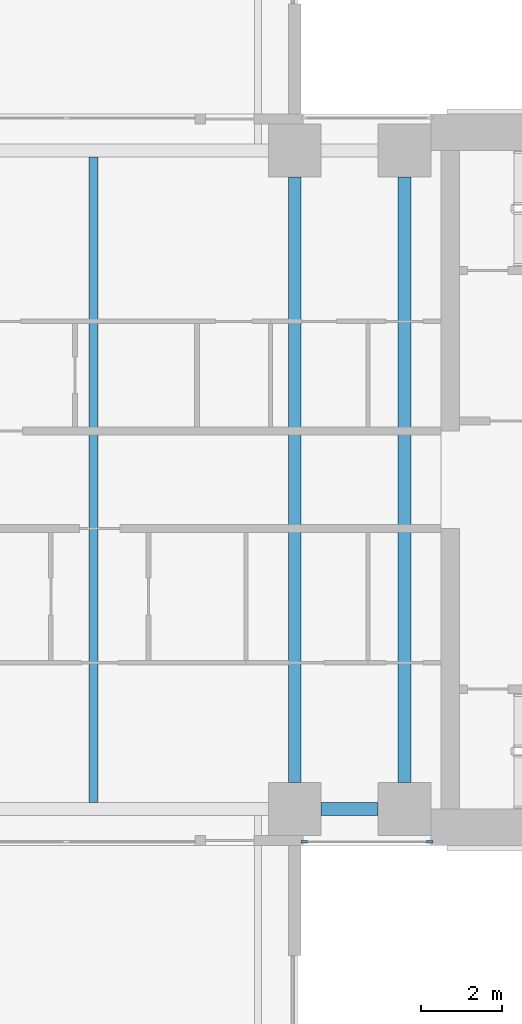
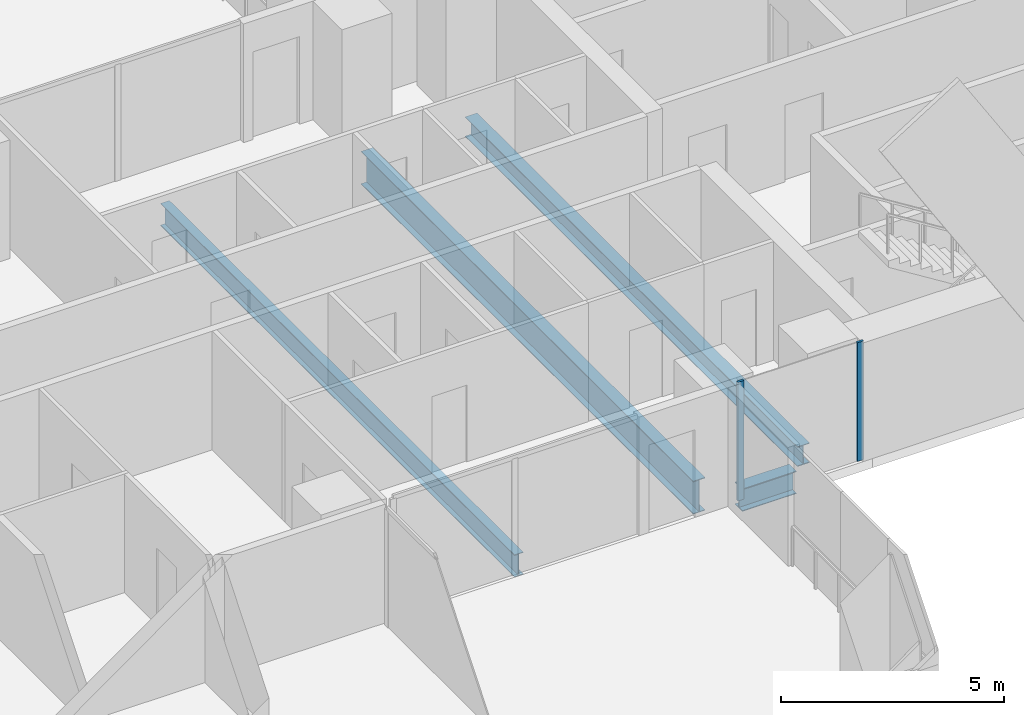
# One storey, part 5 of 22: 4 beams, 2 members, 1 element without a shape of its own.
"""IFC4 building model written with IfcOpenShell, lengths in metres."""

from ifc_helpers import new_model, si_unit, direction, frame, origin, origin_2d, place, context, subcontext, project, spatial, rectangle, i_section, extrude, material, material_profile, profile_set, type_object, element, aggregate, save


model = new_model("IFC4")

# Units and contexts
model_context = context("Model", 3, precision=1e-05, world=origin(), true_north=direction((0.0, 1.0)))
body_context = subcontext(model_context, "Body", "Model", "MODEL_VIEW")
ifc_project = project(units=[si_unit("LENGTHUNIT", "METRE"), si_unit("AREAUNIT", "SQUARE_METRE"), si_unit("VOLUMEUNIT", "CUBIC_METRE"), si_unit("PLANEANGLEUNIT", "RADIAN"), si_unit("MASSUNIT", "GRAM", prefix="KILO")], contexts=[model_context])

# Site, building, storey
site_placement = place(None, origin())
site = spatial("IfcSite", under=ifc_project, at=site_placement, CompositionType="ELEMENT")
building_placement = place(site_placement, origin())
building = spatial("IfcBuilding", under=site, at=building_placement, Name="Perihelion Cross Residences", CompositionType="ELEMENT")
storey_placement = place(building_placement, frame((0.0, 0.0, 50.5)))
storey = spatial("IfcBuildingStorey", under=building, at=storey_placement, Name="L09", CompositionType="ELEMENT", Elevation=50.5)

# Curtain wall, members
ifc_material_1 = material(Name="Bronze anodised aluminium, tinted glazing", Category="aluminium")
curtain_wall_type = type_object("IfcCurtainWallType", Name="CW1", PredefinedType="NOTDEFINED", material=ifc_material_1)
curtain_wall_placement = place(storey_placement, origin())
curtain_wall = element("IfcCurtainWall", 1, at=curtain_wall_placement, inside=storey, type_object=curtain_wall_type, Name="Curtain wall CW1 L09 east side south bay 2", PredefinedType="NOTDEFINED")
ifc_material_2 = material(Name="Bronze anodised aluminium", Category="aluminium")
ifc_material_profile_1 = material_profile(ifc_material_2, rectangle(XDim=0.06005859375, YDim=0.159912109375, at=origin_2d()), Name="CW1 mullion")
ifc_profile_set_1 = profile_set([ifc_material_profile_1], Name="Bronze anodised aluminium")
member_type = type_object("IfcMemberType", Name="CW1 mullion", PredefinedType="MULLION", material=ifc_profile_set_1)
member_1_placement = place(storey_placement, frame((18.22998046875, -8.89990234375, 0.0), z_axis=(0.0, 0.0, 1.0), x_axis=(0.0, 1.0, 0.0)))
member_1 = element("IfcMember", 2, at=member_1_placement, type_object=member_type, Name="CW1 mullion 1", PredefinedType="MULLION", context=body_context, shape_type="SweptSolid", body=[
    extrude(rectangle(XDim=0.06005859375, YDim=0.159912109375, at=origin_2d()), origin(), (0.0, 0.0, 1.0), 3.25),
])
member_2_placement = place(storey_placement, frame((21.320068359375, -8.89990234375, 0.0), z_axis=(0.0, 0.0, 1.0), x_axis=(0.0, 1.0, 0.0)))
member_2 = element("IfcMember", 3, at=member_2_placement, type_object=member_type, Name="CW1 mullion 2", PredefinedType="MULLION", context=body_context, shape_type="SweptSolid", body=[
    extrude(rectangle(XDim=0.06005859375, YDim=0.159912109375, at=origin_2d()), origin(), (0.0, 0.0, 1.0), 3.25),
])
aggregate(curtain_wall, [member_1, member_2])

# Beams
ifc_material_3 = material(Name="Steel S355", Category="steel")
ifc_material_profile_2 = material_profile(ifc_material_3, i_section(OverallWidth=0.31201171875, OverallDepth=0.5439453125, WebThickness=0.0126953125, FlangeThickness=0.020263671875, at=origin_2d()), Name="W530x150")
ifc_profile_set_2 = profile_set([ifc_material_profile_2], Name="Steel S355")
beam_type_1 = type_object("IfcBeamType", Name="Core edge beam W530x150", PredefinedType="BEAM", material=ifc_profile_set_2)
beam_1_placement = place(storey_placement, frame((20.699951171875, -7.449951171875, -0.52197265625), z_axis=(0.0, 1.0, 0.0), x_axis=(-1.0, 0.0, 0.0)))
element("IfcBeam", 4, at=beam_1_placement, inside=storey, type_object=beam_type_1, Name="Core edge beam TB4 L09 no. 2", PredefinedType="BEAM", context=body_context, shape_type="SweptSolid", body=[
    extrude(i_section(OverallWidth=0.31201171875, OverallDepth=0.5439453125, WebThickness=0.0126953125, FlangeThickness=0.020263671875, at=origin_2d()), origin(), (0.0, 0.0, 1.0), 14.89990234375),
])
ifc_material_4 = material(Name="Steel S355", Category="steel")
ifc_material_profile_3 = material_profile(ifc_material_4, i_section(OverallWidth=0.324951171875, OverallDepth=0.616943359375, WebThickness=0.013916015625, FlangeThickness=0.021484375, at=origin_2d()), Name="W610x174")
ifc_profile_set_3 = profile_set([ifc_material_profile_3], Name="Steel S355")
beam_type_2 = type_object("IfcBeamType", Name="Edge beam W610x174", PredefinedType="SPANDREL", material=ifc_profile_set_3)
beam_2_placement = place(storey_placement, frame((18.64990234375, -8.10009765625, -0.55859375), z_axis=(1.0, 0.0, 0.0), x_axis=(0.0, 1.0, 0.0)))
element("IfcBeam", 5, at=beam_2_placement, inside=storey, type_object=beam_type_2, Name="Edge beam SB2 L09 no. 12", PredefinedType="SPANDREL", context=body_context, shape_type="SweptSolid", body=[
    extrude(i_section(OverallWidth=0.324951171875, OverallDepth=0.616943359375, WebThickness=0.013916015625, FlangeThickness=0.021484375, at=origin_2d()), origin(), (0.0, 0.0, 1.0), 1.400146484375),
])
ifc_material_5 = material(Name="Steel S355", Category="steel")
ifc_material_profile_4 = material_profile(ifc_material_5, i_section(OverallWidth=0.304931640625, OverallDepth=0.904052734375, WebThickness=0.01513671875, FlangeThickness=0.02001953125, at=origin_2d()), Name="W920x201")
ifc_profile_set_4 = profile_set([ifc_material_profile_4], Name="Steel S355")
beam_type_3 = type_object("IfcBeamType", Name="Floor girder W920x201", PredefinedType="BEAM", material=ifc_profile_set_4)
beam_3_placement = place(storey_placement, frame((18.0, -7.449951171875, -0.701904296875), z_axis=(0.0, 1.0, 0.0), x_axis=(-1.0, 0.0, 0.0)))
element("IfcBeam", 6, at=beam_3_placement, inside=storey, type_object=beam_type_3, Name="Girder G2 L09 no. 2", PredefinedType="BEAM", context=body_context, shape_type="SweptSolid", body=[
    extrude(i_section(OverallWidth=0.304931640625, OverallDepth=0.904052734375, WebThickness=0.01513671875, FlangeThickness=0.02001953125, at=origin_2d()), origin(), (0.0, 0.0, 1.0), 14.89990234375),
])
ifc_material_6 = material(Name="Steel S355", Category="steel")
ifc_material_profile_5 = material_profile(ifc_material_6, i_section(OverallWidth=0.22900390625, OverallDepth=0.612060546875, WebThickness=0.011962890625, FlangeThickness=0.01953125, at=origin_2d()), Name="W610x125")
ifc_profile_set_5 = profile_set([ifc_material_profile_5], Name="Steel S355")
beam_type_4 = type_object("IfcBeamType", Name="Floor joist W610x125", PredefinedType="JOIST", material=ifc_profile_set_5)
beam_4_placement = place(storey_placement, frame((13.050048828125, -7.9375, -0.555908203125), z_axis=(0.0, 1.0, 0.0), x_axis=(-1.0, 0.0, 0.0)))
element("IfcBeam", 7, at=beam_4_placement, inside=storey, type_object=beam_type_4, Name="Joist J3 L09 no. 2", PredefinedType="JOIST", context=body_context, shape_type="SweptSolid", body=[
    extrude(i_section(OverallWidth=0.22900390625, OverallDepth=0.612060546875, WebThickness=0.011962890625, FlangeThickness=0.01953125, at=origin_2d()), origin(), (0.0, 0.0, 1.0), 15.875),
])

save(model, "model.ifc")
